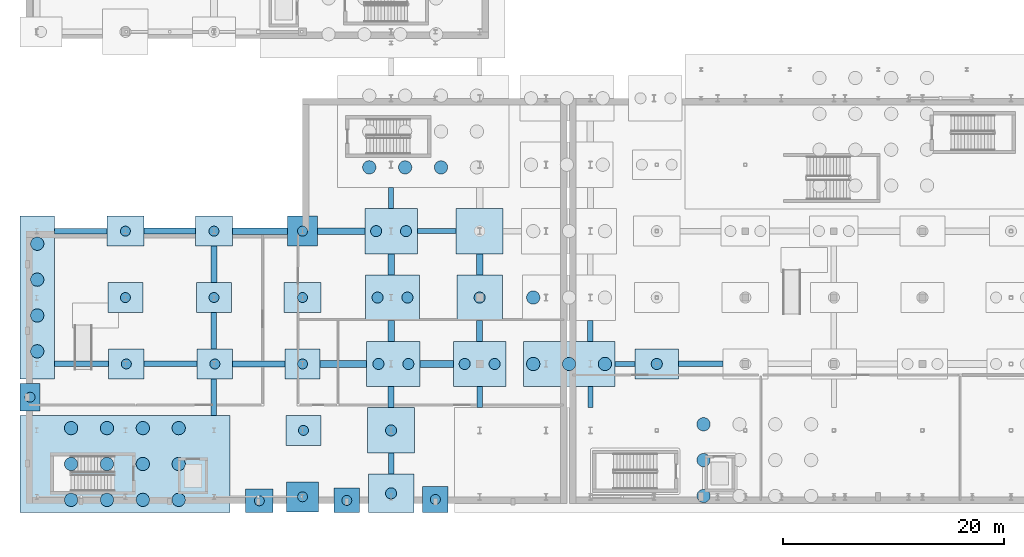
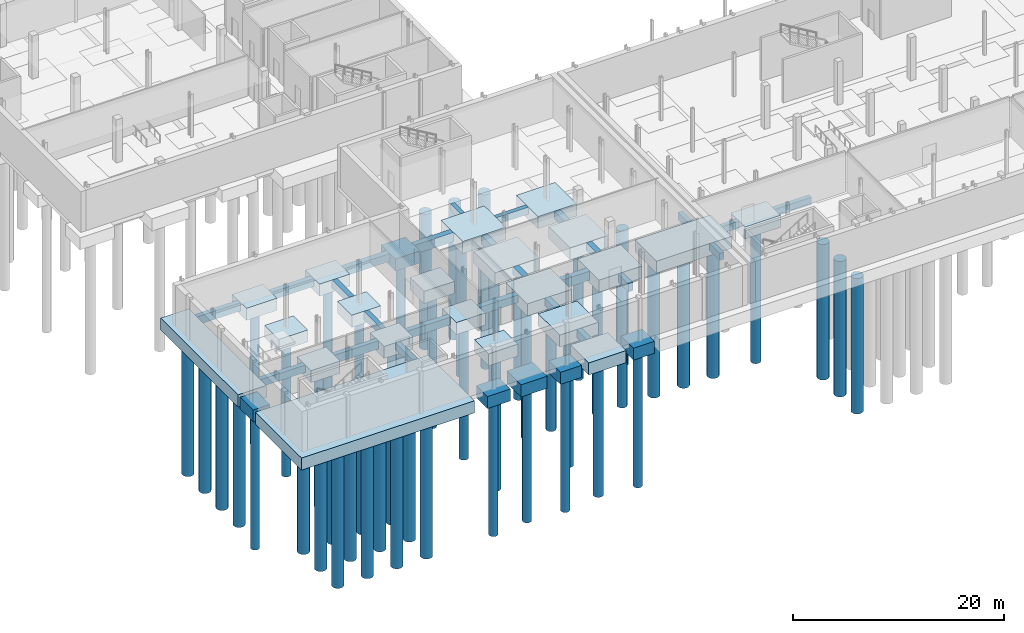
# One storey, part 1 of 47: 53 piles, 52 footings.
"""IFC4 building model written with IfcOpenShell, lengths in metres."""

from ifc_helpers import new_model, si_unit, direction, frame, origin, origin_2d, place, context, subcontext, project, spatial, rectangle, circle, extrude, material, layer, layer_set, material_profile, profile_set, type_object, element, save


model = new_model("IFC4")

# Units and contexts
model_context = context("Model", 3, precision=1e-05, world=origin(), true_north=direction((0.0, 1.0)))
body_context = subcontext(model_context, "Body", "Model", "MODEL_VIEW")
ifc_project = project(units=[si_unit("LENGTHUNIT", "METRE"), si_unit("AREAUNIT", "SQUARE_METRE"), si_unit("VOLUMEUNIT", "CUBIC_METRE"), si_unit("PLANEANGLEUNIT", "RADIAN"), si_unit("MASSUNIT", "GRAM", prefix="KILO")], contexts=[model_context])

# Site, building, storey
site_placement = place(None, origin())
site = spatial("IfcSite", under=ifc_project, at=site_placement, CompositionType="ELEMENT")
building_placement = place(site_placement, origin())
building = spatial("IfcBuilding", under=site, at=building_placement, Name="Cymarion Research Institute", CompositionType="ELEMENT")
storey_placement = place(building_placement, frame((0.0, 0.0, -5.0)))
storey = spatial("IfcBuildingStorey", under=building, at=storey_placement, Name="B1", CompositionType="ELEMENT", Elevation=-5.0)

# Piles
ifc_material = material(Name="Concrete C35/45", Category="concrete")
ifc_material_profile_1 = material_profile(ifc_material, circle(Radius=0.449951171875, at=origin_2d()), Name="BORED PILE D900")
ifc_profile_set_1 = profile_set([ifc_material_profile_1], Name="Concrete C35/45")
pile_type_1 = type_object("IfcPileType", Name="BORED CONCRETE PILE P1 D900", PredefinedType="BORED", material=ifc_profile_set_1)
for number, where, z_axis, x_axis, name in (
    (1, (5.989990234375, 14.5, -1.300048828125), (0.0, 0.0, -1.0), (1.0, 0.0, 0.0), "Bored pile P1 #1"),
    (2, (14.60009765625, 23.5, -1.300048828125), (0.0, 0.0, -1.0), (1.0, 0.0, 0.0), "Bored pile P1 #41"),
    (3, (14.60009765625, 29.5, -1.300048828125), (0.0, 0.0, -1.0), (1.0, 0.0, 0.0), "Bored pile P1 #42"),
    (4, (14.68505859375, 17.5, -1.300048828125), (0.0, 0.0, -1.0), (1.0, 0.0, 0.0), "Bored pile P1 #50"),
    (5, (22.60009765625, 23.5, -1.300048828125), (0.0, 0.0, -1.0), (1.0, 0.0, 0.0), "Bored pile P1 #56"),
    (6, (22.60009765625, 29.5, -1.300048828125), (0.0, 0.0, -1.0), (1.0, 0.0, 0.0), "Bored pile P1 #57"),
    (7, (22.68505859375, 17.5, -1.300048828125), (0.0, 0.0, -1.0), (1.0, 0.0, 0.0), "Bored pile P1 #71"),
    (8, (26.699951171875, 5.139892578125, -1.300048828125), (0.0, 0.0, -1.0), (1.0, 0.0, 0.0), "Bored pile P1 #72"),
    (9, (30.60009765625, 5.5, -1.300048828125), (0.0, 0.0, -1.0), (1.0, 0.0, 0.0), "Bored pile P1 #73"),
    (10, (30.60009765625, 17.5, -1.300048828125), (0.0, 0.0, -1.0), (1.0, 0.0, 0.0), "Bored pile P1 #74"),
    (11, (30.60009765625, 23.5, -1.300048828125), (0.0, 0.0, -1.0), (1.0, 0.0, 0.0), "Bored pile P1 #75"),
    (12, (30.60009765625, 29.5, -1.300048828125), (0.0, 0.0, -1.0), (1.0, 0.0, 0.0), "Bored pile P1 #76"),
    (13, (30.68505859375, 11.5, -1.300048828125), (0.0, 0.0, -1.0), (1.0, 0.0, 0.0), "Bored pile P1 #84"),
    (14, (34.60009765625, 5.179931640625, -1.300048828125), (0.0, 0.0, -1.0), (1.0, 0.0, 0.0), "Bored pile P1 #90"),
    (15, (42.60009765625, 5.260009765625, -1.300048828125), (0.0, 0.0, -1.0), (1.0, 0.0, 0.0), "Bored pile P1 #151"),
):
    element("IfcPile", number, at=place(storey_placement, frame(where, z_axis=z_axis, x_axis=x_axis)), inside=storey, type_object=pile_type_1, Name=name, PredefinedType="BORED", context=body_context, shape_type="SweptSolid", body=[
        extrude(circle(Radius=0.449951171875, at=origin_2d()), origin(), (0.0, 0.0, 1.0), 15.699951171875),
    ])
ifc_material_profile_2 = material_profile(ifc_material, circle(Radius=0.5, at=origin_2d()), Name="BORED PILE D1000")
ifc_profile_set_2 = profile_set([ifc_material_profile_2], Name="Concrete C35/45")
pile_type_2 = type_object("IfcPileType", Name="BORED CONCRETE PILE P2 D1000", PredefinedType="BORED", material=ifc_profile_set_2)
for number, where, z_axis, x_axis, name in (
    (16, (38.60009765625, 5.81494140625, -1.300048828125), (0.0, 0.0, -1.0), (1.0, 0.0, 0.0), "Bored pile P2 #116"),
    (17, (38.60009765625, 11.5, -1.300048828125), (0.0, 0.0, -1.0), (1.0, 0.0, 0.0), "Bored pile P2 #117"),
    (18, (37.25, 29.5, -1.300048828125), (0.0, 0.0, -1.0), (1.0, 0.0, 0.0), "Bored pile P2 #118"),
    (19, (39.949951171875, 29.5, -1.300048828125), (0.0, 0.0, -1.0), (1.0, 0.0, 0.0), "Bored pile P2 #119"),
    (20, (37.3798828125, 23.5, -1.300048828125), (0.0, 0.0, -1.0), (1.0, 0.0, 0.0), "Bored pile P2 #123"),
    (21, (40.080078125, 23.5, -1.300048828125), (0.0, 0.0, -1.0), (1.0, 0.0, 0.0), "Bored pile P2 #124"),
    (22, (37.4599609375, 17.5, -1.300048828125), (0.0, 0.0, -1.0), (1.0, 0.0, 0.0), "Bored pile P2 #125"),
    (23, (40.159912109375, 17.5, -1.300048828125), (0.0, 0.0, -1.0), (1.0, 0.0, 0.0), "Bored pile P2 #126"),
    (24, (45.25, 17.5, -1.300048828125), (0.0, 0.0, -1.0), (1.0, 0.0, 0.0), "Bored pile P2 #152"),
    (25, (47.949951171875, 17.5, -1.300048828125), (0.0, 0.0, -1.0), (1.0, 0.0, 0.0), "Bored pile P2 #153"),
    (26, (46.60009765625, 23.5, -1.300048828125), (0.0, 0.0, -1.0), (1.0, 0.0, 0.0), "Bored pile P2 #154"),
    (27, (62.60009765625, 17.5, -1.300048828125), (0.0, 0.0, -1.0), (1.0, 0.0, 0.0), "Bored pile P2 #179"),
):
    element("IfcPile", number, at=place(storey_placement, frame(where, z_axis=z_axis, x_axis=x_axis)), inside=storey, type_object=pile_type_2, Name=name, PredefinedType="BORED", context=body_context, shape_type="SweptSolid", body=[
        extrude(circle(Radius=0.5, at=origin_2d()), origin(), (0.0, 0.0, 1.0), 15.699951171875),
    ])
ifc_material_profile_3 = material_profile(ifc_material, circle(Radius=0.60009765625, at=origin_2d()), Name="BORED PILE D1200")
ifc_profile_set_3 = profile_set([ifc_material_profile_3], Name="Concrete C35/45")
pile_type_3 = type_object("IfcPileType", Name="BORED CONCRETE PILE P3 D1200", PredefinedType="BORED", material=ifc_profile_set_3)
for number, where, z_axis, x_axis, name in (
    (28, (6.635009765625, 18.639892578125, -1.300048828125), (0.0, 0.0, -1.0), (1.0, 0.0, 0.0), "Bored pile P3 #2"),
    (29, (6.635009765625, 21.8798828125, -1.300048828125), (0.0, 0.0, -1.0), (1.0, 0.0, 0.0), "Bored pile P3 #3"),
    (30, (6.635009765625, 25.1201171875, -1.300048828125), (0.0, 0.0, -1.0), (1.0, 0.0, 0.0), "Bored pile P3 #4"),
    (31, (6.635009765625, 28.360107421875, -1.300048828125), (0.0, 0.0, -1.0), (1.0, 0.0, 0.0), "Bored pile P3 #5"),
    (32, (9.695068359375, 5.22509765625, -1.300048828125), (0.0, 0.0, -1.0), (1.0, 0.0, 0.0), "Bored pile P3 #29"),
    (33, (9.695068359375, 8.465087890625, -1.300048828125), (0.0, 0.0, -1.0), (1.0, 0.0, 0.0), "Bored pile P3 #30"),
    (34, (9.695068359375, 11.705078125, -1.300048828125), (0.0, 0.0, -1.0), (1.0, 0.0, 0.0), "Bored pile P3 #31"),
    (35, (12.93505859375, 5.22509765625, -1.300048828125), (0.0, 0.0, -1.0), (1.0, 0.0, 0.0), "Bored pile P3 #32"),
    (36, (12.93505859375, 8.465087890625, -1.300048828125), (0.0, 0.0, -1.0), (1.0, 0.0, 0.0), "Bored pile P3 #33"),
    (37, (12.93505859375, 11.705078125, -1.300048828125), (0.0, 0.0, -1.0), (1.0, 0.0, 0.0), "Bored pile P3 #34"),
    (38, (16.175048828125, 5.22509765625, -1.300048828125), (0.0, 0.0, -1.0), (1.0, 0.0, 0.0), "Bored pile P3 #35"),
    (39, (16.175048828125, 8.465087890625, -1.300048828125), (0.0, 0.0, -1.0), (1.0, 0.0, 0.0), "Bored pile P3 #36"),
    (40, (16.175048828125, 11.705078125, -1.300048828125), (0.0, 0.0, -1.0), (1.0, 0.0, 0.0), "Bored pile P3 #37"),
    (41, (19.4150390625, 5.22509765625, -1.300048828125), (0.0, 0.0, -1.0), (1.0, 0.0, 0.0), "Bored pile P3 #38"),
    (42, (19.4150390625, 8.465087890625, -1.300048828125), (0.0, 0.0, -1.0), (1.0, 0.0, 0.0), "Bored pile P3 #39"),
    (43, (19.4150390625, 11.705078125, -1.300048828125), (0.0, 0.0, -1.0), (1.0, 0.0, 0.0), "Bored pile P3 #40"),
    (44, (36.6298828125, 35.260009765625, -1.300048828125), (0.0, 0.0, -1.0), (1.0, 0.0, 0.0), "Bored pile P3 #127"),
    (45, (39.8701171875, 35.260009765625, -1.300048828125), (0.0, 0.0, -1.0), (1.0, 0.0, 0.0), "Bored pile P3 #130"),
    (46, (43.110107421875, 35.260009765625, -1.300048828125), (0.0, 0.0, -1.0), (1.0, 0.0, 0.0), "Bored pile P3 #133"),
    (47, (51.43994140625, 17.5, -1.300048828125), (0.0, 0.0, -1.0), (1.0, 0.0, 0.0), "Bored pile P3 #168"),
    (48, (54.679931640625, 17.5, -1.300048828125), (0.0, 0.0, -1.0), (1.0, 0.0, 0.0), "Bored pile P3 #169"),
    (49, (57.919921875, 17.5, -1.300048828125), (0.0, 0.0, -1.0), (1.0, 0.0, 0.0), "Bored pile P3 #170"),
    (50, (51.43994140625, 23.5, -1.300048828125), (0.0, 0.0, -1.0), (1.0, 0.0, 0.0), "Bored pile P3 #171"),
    (51, (66.824951171875, 5.574951171875, -1.300048828125), (0.0, 0.0, -1.0), (1.0, 0.0, 0.0), "Bored pile P3 #188"),
    (52, (66.824951171875, 8.81494140625, -1.300048828125), (0.0, 0.0, -1.0), (1.0, 0.0, 0.0), "Bored pile P3 #189"),
    (53, (66.824951171875, 12.054931640625, -1.300048828125), (0.0, 0.0, -1.0), (1.0, 0.0, 0.0), "Bored pile P3 #190"),
):
    element("IfcPile", number, at=place(storey_placement, frame(where, z_axis=z_axis, x_axis=x_axis)), inside=storey, type_object=pile_type_3, Name=name, PredefinedType="BORED", context=body_context, shape_type="SweptSolid", body=[
        extrude(circle(Radius=0.60009765625, at=origin_2d()), origin(), (0.0, 0.0, 1.0), 15.699951171875),
    ])

# Footings
footing_type_1 = type_object("IfcFootingType", Name="REINFORCED CONCRETE GROUND BEAM GB1 450X800", PredefinedType="FOOTING_BEAM", material=ifc_material)
footing_1_placement = place(storey_placement, frame((59.72998046875, 17.5, -0.7998046875), z_axis=(0.0, 0.0, 1.0), x_axis=(1.0, 0.0, 0.0)))
element("IfcFooting", 54, at=footing_1_placement, inside=storey, type_object=footing_type_1, Name="Seismic tie ground beam GB1 #11", PredefinedType="FOOTING_BEAM", context=body_context, shape_type="SweptSolid", body=[
    extrude(rectangle(XDim=1.840087890625, YDim=0.449951171875, at=origin_2d()), origin(), (0.0, 0.0, 1.0), 0.800048828125),
])
footing_2_placement = place(storey_placement, frame((42.719970703125, 29.5, -0.7998046875), z_axis=(0.0, 0.0, 1.0), x_axis=(1.0, 0.0, 0.0)))
element("IfcFooting", 55, at=footing_2_placement, inside=storey, type_object=footing_type_1, Name="Seismic tie ground beam GB1 #28", PredefinedType="FOOTING_BEAM", context=body_context, shape_type="SweptSolid", body=[
    extrude(rectangle(XDim=3.5, YDim=0.449951171875, at=origin_2d()), origin(), (0.0, 0.0, 1.0), 0.800048828125),
])
for number, where, z_axis, x_axis, name in (
    (56, (38.60009765625, 32.5, -0.7998046875), (0.0, 0.0, 1.0), (0.0, 1.0, 0.0), "Seismic tie ground beam GB1 #82"),
    (57, (56.60009765625, 14.5, -0.7998046875), (0.0, 0.0, 1.0), (0.0, 1.0, 0.0), "Seismic tie ground beam GB1 #98"),
):
    element("IfcFooting", number, at=place(storey_placement, frame(where, z_axis=z_axis, x_axis=x_axis)), inside=storey, type_object=footing_type_1, Name=name, PredefinedType="FOOTING_BEAM", context=body_context, shape_type="SweptSolid", body=[
        extrude(rectangle(XDim=1.89990234375, YDim=0.449951171875, at=origin_2d()), origin(), (0.0, 0.0, 1.0), 0.800048828125),
    ])
footing_type_2 = type_object("IfcFootingType", Name="REINFORCED CONCRETE GROUND BEAM GB2 500X850", PredefinedType="FOOTING_BEAM", material=ifc_material)
footing_3_placement = place(storey_placement, frame((10.639892578125, 17.5, -0.85009765625), z_axis=(0.0, 0.0, 1.0), x_axis=(1.0, 0.0, 0.0)))
element("IfcFooting", 58, at=footing_3_placement, inside=storey, type_object=footing_type_2, Name="Seismic tie ground beam GB2 #6", PredefinedType="FOOTING_BEAM", context=body_context, shape_type="SweptSolid", body=[
    extrude(rectangle(XDim=4.89990234375, YDim=0.5, at=origin_2d()), origin(), (0.0, 0.0, 1.0), 0.85009765625),
])
footing_4_placement = place(storey_placement, frame((66.56005859375, 17.5, -0.85009765625), z_axis=(0.0, 0.0, 1.0), x_axis=(1.0, 0.0, 0.0)))
element("IfcFooting", 59, at=footing_4_placement, inside=storey, type_object=footing_type_2, Name="Seismic tie ground beam GB2 #12", PredefinedType="FOOTING_BEAM", context=body_context, shape_type="SweptSolid", body=[
    extrude(rectangle(XDim=4.02001953125, YDim=0.5, at=origin_2d()), origin(), (0.0, 0.0, 1.0), 0.85009765625),
])
footing_5_placement = place(storey_placement, frame((22.60009765625, 14.5, -0.85009765625), z_axis=(0.0, 0.0, 1.0), x_axis=(0.0, 1.0, 0.0)))
element("IfcFooting", 60, at=footing_5_placement, inside=storey, type_object=footing_type_2, Name="Seismic tie ground beam GB2 #66", PredefinedType="FOOTING_BEAM", context=body_context, shape_type="SweptSolid", body=[
    extrude(rectangle(XDim=3.300048828125, YDim=0.5, at=origin_2d()), origin(), (0.0, 0.0, 1.0), 0.85009765625),
])
footing_6_placement = place(storey_placement, frame((56.60009765625, 20.5, -0.85009765625), z_axis=(0.0, 0.0, 1.0), x_axis=(0.0, 1.0, 0.0)))
element("IfcFooting", 61, at=footing_6_placement, inside=storey, type_object=footing_type_2, Name="Seismic tie ground beam GB2 #99", PredefinedType="FOOTING_BEAM", context=body_context, shape_type="SweptSolid", body=[
    extrude(rectangle(XDim=1.89990234375, YDim=0.5, at=origin_2d()), origin(), (0.0, 0.0, 1.0), 0.85009765625),
])
footing_type_3 = type_object("IfcFootingType", Name="REINFORCED CONCRETE GROUND BEAM GB3 500X950", PredefinedType="FOOTING_BEAM", material=ifc_material)
footing_7_placement = place(storey_placement, frame((18.68505859375, 17.5, -0.9501953125), z_axis=(0.0, 0.0, 1.0), x_axis=(1.0, 0.0, 0.0)))
element("IfcFooting", 62, at=footing_7_placement, inside=storey, type_object=footing_type_3, Name="Seismic tie ground beam GB3 #7", PredefinedType="FOOTING_BEAM", context=body_context, shape_type="SweptSolid", body=[
    extrude(rectangle(XDim=4.81005859375, YDim=0.5, at=origin_2d()), origin(), (0.0, 0.0, 1.0), 0.949951171875),
])
footing_8_placement = place(storey_placement, frame((10.56005859375, 29.5, -0.9501953125), z_axis=(0.0, 0.0, 1.0), x_axis=(1.0, 0.0, 0.0)))
element("IfcFooting", 63, at=footing_8_placement, inside=storey, type_object=footing_type_3, Name="Seismic tie ground beam GB3 #24", PredefinedType="FOOTING_BEAM", context=body_context, shape_type="SweptSolid", body=[
    extrude(rectangle(XDim=4.739990234375, YDim=0.5, at=origin_2d()), origin(), (0.0, 0.0, 1.0), 0.949951171875),
])
footing_9_placement = place(storey_placement, frame((22.60009765625, 20.5, -0.9501953125), z_axis=(0.0, 0.0, 1.0), x_axis=(0.0, 1.0, 0.0)))
element("IfcFooting", 64, at=footing_9_placement, inside=storey, type_object=footing_type_3, Name="Seismic tie ground beam GB3 #67", PredefinedType="FOOTING_BEAM", context=body_context, shape_type="SweptSolid", body=[
    extrude(rectangle(XDim=3.300048828125, YDim=0.5, at=origin_2d()), origin(), (0.0, 0.0, 1.0), 0.949951171875),
])
for number, where, z_axis, x_axis, name in (
    (65, (38.60009765625, 8.5, -0.9501953125), (0.0, 0.0, 1.0), (0.0, 1.0, 0.0), "Seismic tie ground beam GB3 #78"),
    (66, (46.60009765625, 14.5, -0.9501953125), (0.0, 0.0, 1.0), (0.0, 1.0, 0.0), "Seismic tie ground beam GB3 #89"),
):
    element("IfcFooting", number, at=place(storey_placement, frame(where, z_axis=z_axis, x_axis=x_axis)), inside=storey, type_object=footing_type_3, Name=name, PredefinedType="FOOTING_BEAM", context=body_context, shape_type="SweptSolid", body=[
        extrude(rectangle(XDim=1.89990234375, YDim=0.5, at=origin_2d()), origin(), (0.0, 0.0, 1.0), 0.949951171875),
    ])
footing_type_4 = type_object("IfcFootingType", Name="REINFORCED CONCRETE GROUND BEAM GB4 550X900", PredefinedType="FOOTING_BEAM", material=ifc_material)
footing_10_placement = place(storey_placement, frame((26.64501953125, 17.5, -0.89990234375), z_axis=(0.0, 0.0, 1.0), x_axis=(1.0, 0.0, 0.0)))
element("IfcFooting", 67, at=footing_10_placement, inside=storey, type_object=footing_type_4, Name="Seismic tie ground beam GB4 #8", PredefinedType="FOOTING_BEAM", context=body_context, shape_type="SweptSolid", body=[
    extrude(rectangle(XDim=4.72998046875, YDim=0.550048828125, at=origin_2d()), origin(), (0.0, 0.0, 1.0), 0.89990234375),
])
footing_11_placement = place(storey_placement, frame((18.60009765625, 29.5, -0.89990234375), z_axis=(0.0, 0.0, 1.0), x_axis=(1.0, 0.0, 0.0)))
element("IfcFooting", 68, at=footing_11_placement, inside=storey, type_object=footing_type_4, Name="Seismic tie ground beam GB4 #25", PredefinedType="FOOTING_BEAM", context=body_context, shape_type="SweptSolid", body=[
    extrude(rectangle(XDim=4.659912109375, YDim=0.550048828125, at=origin_2d()), origin(), (0.0, 0.0, 1.0), 0.89990234375),
])
footing_12_placement = place(storey_placement, frame((22.60009765625, 26.5, -0.89990234375), z_axis=(0.0, 0.0, 1.0), x_axis=(0.0, 1.0, 0.0)))
element("IfcFooting", 69, at=footing_12_placement, inside=storey, type_object=footing_type_4, Name="Seismic tie ground beam GB4 #68", PredefinedType="FOOTING_BEAM", context=body_context, shape_type="SweptSolid", body=[
    extrude(rectangle(XDim=3.300048828125, YDim=0.550048828125, at=origin_2d()), origin(), (0.0, 0.0, 1.0), 0.89990234375),
])
for number, where, z_axis, x_axis, name in (
    (70, (38.60009765625, 14.5, -0.89990234375), (0.0, 0.0, 1.0), (0.0, 1.0, 0.0), "Seismic tie ground beam GB4 #79"),
    (71, (46.60009765625, 20.5, -0.89990234375), (0.0, 0.0, 1.0), (0.0, 1.0, 0.0), "Seismic tie ground beam GB4 #90"),
):
    element("IfcFooting", number, at=place(storey_placement, frame(where, z_axis=z_axis, x_axis=x_axis)), inside=storey, type_object=footing_type_4, Name=name, PredefinedType="FOOTING_BEAM", context=body_context, shape_type="SweptSolid", body=[
        extrude(rectangle(XDim=1.89990234375, YDim=0.550048828125, at=origin_2d()), origin(), (0.0, 0.0, 1.0), 0.89990234375),
    ])
footing_type_5 = type_object("IfcFootingType", Name="REINFORCED CONCRETE GROUND BEAM GB5 600X900", PredefinedType="FOOTING_BEAM", material=ifc_material)
footing_13_placement = place(storey_placement, frame((34.2900390625, 17.5, -0.89990234375), z_axis=(0.0, 0.0, 1.0), x_axis=(1.0, 0.0, 0.0)))
element("IfcFooting", 72, at=footing_13_placement, inside=storey, type_object=footing_type_5, Name="Seismic tie ground beam GB5 #9", PredefinedType="FOOTING_BEAM", context=body_context, shape_type="SweptSolid", body=[
    extrude(rectangle(XDim=4.199951171875, YDim=0.60009765625, at=origin_2d()), origin(), (0.0, 0.0, 1.0), 0.89990234375),
])
footing_14_placement = place(storey_placement, frame((26.760009765625, 29.5, -0.89990234375), z_axis=(0.0, 0.0, 1.0), x_axis=(1.0, 0.0, 0.0)))
element("IfcFooting", 73, at=footing_14_placement, inside=storey, type_object=footing_type_5, Name="Seismic tie ground beam GB5 #26", PredefinedType="FOOTING_BEAM", context=body_context, shape_type="SweptSolid", body=[
    extrude(rectangle(XDim=4.97998046875, YDim=0.60009765625, at=origin_2d()), origin(), (0.0, 0.0, 1.0), 0.89990234375),
])
for number, where, z_axis, x_axis, name in (
    (74, (38.60009765625, 20.5, -0.89990234375), (0.0, 0.0, 1.0), (0.0, 1.0, 0.0), "Seismic tie ground beam GB5 #80"),
    (75, (46.60009765625, 26.5, -0.89990234375), (0.0, 0.0, 1.0), (0.0, 1.0, 0.0), "Seismic tie ground beam GB5 #91"),
):
    element("IfcFooting", number, at=place(storey_placement, frame(where, z_axis=z_axis, x_axis=x_axis)), inside=storey, type_object=footing_type_5, Name=name, PredefinedType="FOOTING_BEAM", context=body_context, shape_type="SweptSolid", body=[
        extrude(rectangle(XDim=1.89990234375, YDim=0.60009765625, at=origin_2d()), origin(), (0.0, 0.0, 1.0), 0.89990234375),
    ])
footing_type_6 = type_object("IfcFootingType", Name="REINFORCED CONCRETE GROUND BEAM GB6 600X1050", PredefinedType="FOOTING_BEAM", material=ifc_material)
footing_15_placement = place(storey_placement, frame((42.72998046875, 17.5, -1.0498046875), z_axis=(0.0, 0.0, 1.0), x_axis=(1.0, 0.0, 0.0)))
element("IfcFooting", 76, at=footing_15_placement, inside=storey, type_object=footing_type_6, Name="Seismic tie ground beam GB6 #10", PredefinedType="FOOTING_BEAM", context=body_context, shape_type="SweptSolid", body=[
    extrude(rectangle(XDim=3.0, YDim=0.60009765625, at=origin_2d()), origin(), (0.0, 0.0, 1.0), 1.050048828125),
])
footing_16_placement = place(storey_placement, frame((34.090087890625, 29.5, -1.0498046875), z_axis=(0.0, 0.0, 1.0), x_axis=(1.0, 0.0, 0.0)))
element("IfcFooting", 77, at=footing_16_placement, inside=storey, type_object=footing_type_6, Name="Seismic tie ground beam GB6 #27", PredefinedType="FOOTING_BEAM", context=body_context, shape_type="SweptSolid", body=[
    extrude(rectangle(XDim=4.280029296875, YDim=0.60009765625, at=origin_2d()), origin(), (0.0, 0.0, 1.0), 1.050048828125),
])
footing_17_placement = place(storey_placement, frame((38.60009765625, 26.5, -1.0498046875), z_axis=(0.0, 0.0, 1.0), x_axis=(0.0, 1.0, 0.0)))
element("IfcFooting", 78, at=footing_17_placement, inside=storey, type_object=footing_type_6, Name="Seismic tie ground beam GB6 #81", PredefinedType="FOOTING_BEAM", context=body_context, shape_type="SweptSolid", body=[
    extrude(rectangle(XDim=1.89990234375, YDim=0.60009765625, at=origin_2d()), origin(), (0.0, 0.0, 1.0), 1.050048828125),
])
ifc_layer_1 = layer(ifc_material, 1.39990234375)
ifc_layer_set_1 = layer_set([ifc_layer_1], Name="Concrete C35/45")
footing_type_7 = type_object("IfcFootingType", Name="REINFORCED CONCRETE PILE CAP PC01 1820X2460X1400", PredefinedType="PILE_CAP", material=ifc_layer_set_1)
footing_18_placement = place(storey_placement, frame((5.989990234375, 14.5, -1.39990234375), z_axis=(0.0, 0.0, 1.0), x_axis=(1.0, 0.0, 0.0)))
element("IfcFooting", 79, at=footing_18_placement, inside=storey, type_object=footing_type_7, Name="Pile cap PC01 #1", PredefinedType="PILE_CAP", context=body_context, shape_type="SweptSolid", body=[
    extrude(rectangle(XDim=1.820068359375, YDim=2.4599609375, at=origin_2d()), origin(), (0.0, 0.0, 1.0), 1.39990234375),
])
ifc_layer_2 = layer(ifc_material, 1.39990234375)
ifc_layer_set_2 = layer_set([ifc_layer_2], Name="Concrete C35/45")
footing_type_8 = type_object("IfcFootingType", Name="REINFORCED CONCRETE PILE CAP PC02 3110X14700X1400", PredefinedType="PILE_CAP", material=ifc_layer_set_2)
footing_19_placement = place(storey_placement, frame((6.635009765625, 23.5, -1.39990234375), z_axis=(0.0, 0.0, 1.0), x_axis=(1.0, 0.0, 0.0)))
element("IfcFooting", 80, at=footing_19_placement, inside=storey, type_object=footing_type_8, Name="Pile cap PC02 #2", PredefinedType="PILE_CAP", context=body_context, shape_type="SweptSolid", body=[
    extrude(rectangle(XDim=3.110107421875, YDim=14.699951171875, at=origin_2d()), origin(), (0.0, 0.0, 1.0), 1.39990234375),
])
ifc_layer_3 = layer(ifc_material, 1.39990234375)
ifc_layer_set_3 = layer_set([ifc_layer_3], Name="Concrete C35/45")
footing_type_9 = type_object("IfcFootingType", Name="REINFORCED CONCRETE PILE CAP PC03 3190X2700X1400", PredefinedType="PILE_CAP", material=ifc_layer_set_3)
for number, where, z_axis, x_axis, name in (
    (81, (14.68505859375, 17.5, -1.39990234375), (0.0, 0.0, 1.0), (1.0, 0.0, 0.0), "Pile cap PC03 #20"),
    (82, (22.68505859375, 17.5, -1.39990234375), (0.0, 0.0, 1.0), (1.0, 0.0, 0.0), "Pile cap PC03 #36"),
    (83, (30.68505859375, 11.5, -1.39990234375), (0.0, 0.0, 1.0), (1.0, 0.0, 0.0), "Pile cap PC03 #47"),
):
    element("IfcFooting", number, at=place(storey_placement, frame(where, z_axis=z_axis, x_axis=x_axis)), inside=storey, type_object=footing_type_9, Name=name, PredefinedType="PILE_CAP", context=body_context, shape_type="SweptSolid", body=[
        extrude(rectangle(XDim=3.18994140625, YDim=2.699951171875, at=origin_2d()), origin(), (0.0, 0.0, 1.0), 1.39990234375),
    ])
ifc_layer_4 = layer(ifc_material, 1.39990234375)
ifc_layer_set_4 = layer_set([ifc_layer_4], Name="Concrete C35/45")
footing_type_10 = type_object("IfcFootingType", Name="REINFORCED CONCRETE PILE CAP PC10 18950X8770X1400", PredefinedType="PILE_CAP", material=ifc_layer_set_4)
footing_20_placement = place(storey_placement, frame((14.554931640625, 8.465087890625, -1.39990234375), z_axis=(0.0, 0.0, 1.0), x_axis=(1.0, 0.0, 0.0)))
element("IfcFooting", 84, at=footing_20_placement, inside=storey, type_object=footing_type_10, Name="Pile cap PC10 #12", PredefinedType="PILE_CAP", context=body_context, shape_type="SweptSolid", body=[
    extrude(rectangle(XDim=18.949951171875, YDim=8.77001953125, at=origin_2d()), origin(), (0.0, 0.0, 1.0), 1.39990234375),
])
ifc_layer_5 = layer(ifc_material, 1.39990234375)
ifc_layer_set_5 = layer_set([ifc_layer_5], Name="Concrete C35/45")
footing_type_11 = type_object("IfcFootingType", Name="REINFORCED CONCRETE PILE CAP PC11 3180X2700X1400", PredefinedType="PILE_CAP", material=ifc_layer_set_5)
for number, where, z_axis, x_axis, name in (
    (85, (14.60009765625, 23.5, -1.39990234375), (0.0, 0.0, 1.0), (1.0, 0.0, 0.0), "Pile cap PC11 #13"),
    (86, (22.60009765625, 23.5, -1.39990234375), (0.0, 0.0, 1.0), (1.0, 0.0, 0.0), "Pile cap PC11 #24"),
    (87, (30.60009765625, 17.5, -1.39990234375), (0.0, 0.0, 1.0), (1.0, 0.0, 0.0), "Pile cap PC11 #39"),
):
    element("IfcFooting", number, at=place(storey_placement, frame(where, z_axis=z_axis, x_axis=x_axis)), inside=storey, type_object=footing_type_11, Name=name, PredefinedType="PILE_CAP", context=body_context, shape_type="SweptSolid", body=[
        extrude(rectangle(XDim=3.179931640625, YDim=2.699951171875, at=origin_2d()), origin(), (0.0, 0.0, 1.0), 1.39990234375),
    ])
ifc_layer_6 = layer(ifc_material, 1.39990234375)
ifc_layer_set_6 = layer_set([ifc_layer_6], Name="Concrete C35/45")
footing_type_12 = type_object("IfcFootingType", Name="REINFORCED CONCRETE PILE CAP PC12 3340X2700X1400", PredefinedType="PILE_CAP", material=ifc_layer_set_6)
for number, where, z_axis, x_axis, name in (
    (88, (14.60009765625, 29.5, -1.39990234375), (0.0, 0.0, 1.0), (1.0, 0.0, 0.0), "Pile cap PC12 #14"),
    (89, (22.60009765625, 29.5, -1.39990234375), (0.0, 0.0, 1.0), (1.0, 0.0, 0.0), "Pile cap PC12 #25"),
    (90, (30.60009765625, 23.5, -1.39990234375), (0.0, 0.0, 1.0), (1.0, 0.0, 0.0), "Pile cap PC12 #40"),
):
    element("IfcFooting", number, at=place(storey_placement, frame(where, z_axis=z_axis, x_axis=x_axis)), inside=storey, type_object=footing_type_12, Name=name, PredefinedType="PILE_CAP", context=body_context, shape_type="SweptSolid", body=[
        extrude(rectangle(XDim=3.340087890625, YDim=2.699951171875, at=origin_2d()), origin(), (0.0, 0.0, 1.0), 1.39990234375),
    ])
ifc_layer_7 = layer(ifc_material, 1.39990234375)
ifc_layer_set_7 = layer_set([ifc_layer_7], Name="Concrete C35/45")
footing_type_13 = type_object("IfcFootingType", Name="REINFORCED CONCRETE PILE CAP PC13 4100X4100X1400", PredefinedType="PILE_CAP", material=ifc_layer_set_7)
footing_21_placement = place(storey_placement, frame((46.60009765625, 23.5, -1.39990234375), z_axis=(0.0, 0.0, 1.0), x_axis=(1.0, 0.0, 0.0)))
element("IfcFooting", 91, at=footing_21_placement, inside=storey, type_object=footing_type_13, Name="Pile cap PC13 #68", PredefinedType="PILE_CAP", context=body_context, shape_type="SweptSolid", body=[
    extrude(rectangle(XDim=4.10009765625, YDim=4.10009765625, at=origin_2d()), origin(), (0.0, 0.0, 1.0), 1.39990234375),
])
ifc_layer_8 = layer(ifc_material, 1.39990234375)
ifc_layer_set_8 = layer_set([ifc_layer_8], Name="Concrete C35/45")
footing_type_14 = type_object("IfcFootingType", Name="REINFORCED CONCRETE PILE CAP PC14 4260X4100X1400", PredefinedType="PILE_CAP", material=ifc_layer_set_8)
for number, where, z_axis, x_axis, name in (
    (92, (38.60009765625, 11.5, -1.39990234375), (0.0, 0.0, 1.0), (1.0, 0.0, 0.0), "Pile cap PC14 #57"),
    (93, (46.60009765625, 29.5, -1.39990234375), (0.0, 0.0, 1.0), (1.0, 0.0, 0.0), "Pile cap PC14 #69"),
):
    element("IfcFooting", number, at=place(storey_placement, frame(where, z_axis=z_axis, x_axis=x_axis)), inside=storey, type_object=footing_type_14, Name=name, PredefinedType="PILE_CAP", context=body_context, shape_type="SweptSolid", body=[
        extrude(rectangle(XDim=4.260009765625, YDim=4.10009765625, at=origin_2d()), origin(), (0.0, 0.0, 1.0), 1.39990234375),
    ])
ifc_layer_9 = layer(ifc_material, 1.39990234375)
ifc_layer_set_9 = layer_set([ifc_layer_9], Name="Concrete C35/45")
footing_type_15 = type_object("IfcFootingType", Name="REINFORCED CONCRETE PILE CAP PC15 4740X4100X1400", PredefinedType="PILE_CAP", material=ifc_layer_set_9)
for number, where, z_axis, x_axis, name in (
    (94, (38.60009765625, 29.5, -1.39990234375), (0.0, 0.0, 1.0), (1.0, 0.0, 0.0), "Pile cap PC15 #58"),
    (95, (46.60009765625, 17.5, -1.39990234375), (0.0, 0.0, 1.0), (1.0, 0.0, 0.0), "Pile cap PC15 #67"),
):
    element("IfcFooting", number, at=place(storey_placement, frame(where, z_axis=z_axis, x_axis=x_axis)), inside=storey, type_object=footing_type_15, Name=name, PredefinedType="PILE_CAP", context=body_context, shape_type="SweptSolid", body=[
        extrude(rectangle(XDim=4.739990234375, YDim=4.10009765625, at=origin_2d()), origin(), (0.0, 0.0, 1.0), 1.39990234375),
    ])
ifc_layer_10 = layer(ifc_material, 1.39990234375)
ifc_layer_set_10 = layer_set([ifc_layer_10], Name="Concrete C35/45")
footing_type_16 = type_object("IfcFootingType", Name="REINFORCED CONCRETE PILE CAP PC16 3900X2700X1400", PredefinedType="PILE_CAP", material=ifc_layer_set_10)
footing_22_placement = place(storey_placement, frame((62.60009765625, 17.5, -1.39990234375), z_axis=(0.0, 0.0, 1.0), x_axis=(1.0, 0.0, 0.0)))
element("IfcFooting", 96, at=footing_22_placement, inside=storey, type_object=footing_type_16, Name="Pile cap PC16 #81", PredefinedType="PILE_CAP", context=body_context, shape_type="SweptSolid", body=[
    extrude(rectangle(XDim=3.89990234375, YDim=2.699951171875, at=origin_2d()), origin(), (0.0, 0.0, 1.0), 1.39990234375),
])
ifc_layer_11 = layer(ifc_material, 1.39990234375)
ifc_layer_set_11 = layer_set([ifc_layer_11], Name="Concrete C35/45")
footing_type_17 = type_object("IfcFootingType", Name="REINFORCED CONCRETE PILE CAP PC18 4840X4100X1400", PredefinedType="PILE_CAP", material=ifc_layer_set_11)
for number, where, z_axis, x_axis, name in (
    (97, (38.72998046875, 23.5, -1.39990234375), (0.0, 0.0, 1.0), (1.0, 0.0, 0.0), "Pile cap PC18 #62"),
    (98, (38.81005859375, 17.5, -1.39990234375), (0.0, 0.0, 1.0), (1.0, 0.0, 0.0), "Pile cap PC18 #63"),
):
    element("IfcFooting", number, at=place(storey_placement, frame(where, z_axis=z_axis, x_axis=x_axis)), inside=storey, type_object=footing_type_17, Name=name, PredefinedType="PILE_CAP", context=body_context, shape_type="SweptSolid", body=[
        extrude(rectangle(XDim=4.840087890625, YDim=4.10009765625, at=origin_2d()), origin(), (0.0, 0.0, 1.0), 1.39990234375),
    ])
ifc_layer_12 = layer(ifc_material, 1.39990234375)
ifc_layer_set_12 = layer_set([ifc_layer_12], Name="Concrete C35/45")
footing_type_18 = type_object("IfcFootingType", Name="REINFORCED CONCRETE PILE CAP PC22 2860X2700X1400", PredefinedType="PILE_CAP", material=ifc_layer_set_12)
footing_23_placement = place(storey_placement, frame((30.60009765625, 5.5, -1.39990234375), z_axis=(0.0, 0.0, 1.0), x_axis=(1.0, 0.0, 0.0)))
element("IfcFooting", 99, at=footing_23_placement, inside=storey, type_object=footing_type_18, Name="Pile cap PC22 #38", PredefinedType="PILE_CAP", context=body_context, shape_type="SweptSolid", body=[
    extrude(rectangle(XDim=2.860107421875, YDim=2.699951171875, at=origin_2d()), origin(), (0.0, 0.0, 1.0), 1.39990234375),
])
ifc_layer_13 = layer(ifc_material, 1.39990234375)
ifc_layer_set_13 = layer_set([ifc_layer_13], Name="Concrete C35/45")
footing_type_19 = type_object("IfcFootingType", Name="REINFORCED CONCRETE PILE CAP PC23 2500X2120X1400", PredefinedType="PILE_CAP", material=ifc_layer_set_13)
footing_24_placement = place(storey_placement, frame((26.699951171875, 5.139892578125, -1.39990234375), z_axis=(0.0, 0.0, 1.0), x_axis=(1.0, 0.0, 0.0)))
element("IfcFooting", 100, at=footing_24_placement, inside=storey, type_object=footing_type_19, Name="Pile cap PC23 #37", PredefinedType="PILE_CAP", context=body_context, shape_type="SweptSolid", body=[
    extrude(rectangle(XDim=2.5, YDim=2.1201171875, at=origin_2d()), origin(), (0.0, 0.0, 1.0), 1.39990234375),
])
ifc_layer_14 = layer(ifc_material, 1.39990234375)
ifc_layer_set_14 = layer_set([ifc_layer_14], Name="Concrete C35/45")
footing_type_20 = type_object("IfcFootingType", Name="REINFORCED CONCRETE PILE CAP PC24 2700X2700X1400", PredefinedType="PILE_CAP", material=ifc_layer_set_14)
footing_25_placement = place(storey_placement, frame((30.60009765625, 29.5, -1.39990234375), z_axis=(0.0, 0.0, 1.0), x_axis=(1.0, 0.0, 0.0)))
element("IfcFooting", 101, at=footing_25_placement, inside=storey, type_object=footing_type_20, Name="Pile cap PC24 #41", PredefinedType="PILE_CAP", context=body_context, shape_type="SweptSolid", body=[
    extrude(rectangle(XDim=2.699951171875, YDim=2.699951171875, at=origin_2d()), origin(), (0.0, 0.0, 1.0), 1.39990234375),
])
ifc_layer_15 = layer(ifc_material, 1.39990234375)
ifc_layer_set_15 = layer_set([ifc_layer_15], Name="Concrete C35/45")
footing_type_21 = type_object("IfcFootingType", Name="REINFORCED CONCRETE PILE CAP PC25 2300X2200X1400", PredefinedType="PILE_CAP", material=ifc_layer_set_15)
footing_26_placement = place(storey_placement, frame((34.60009765625, 5.179931640625, -1.39990234375), z_axis=(0.0, 0.0, 1.0), x_axis=(1.0, 0.0, 0.0)))
element("IfcFooting", 102, at=footing_26_placement, inside=storey, type_object=footing_type_21, Name="Pile cap PC25 #51", PredefinedType="PILE_CAP", context=body_context, shape_type="SweptSolid", body=[
    extrude(rectangle(XDim=2.300048828125, YDim=2.199951171875, at=origin_2d()), origin(), (0.0, 0.0, 1.0), 1.39990234375),
])
ifc_layer_16 = layer(ifc_material, 1.39990234375)
ifc_layer_set_16 = layer_set([ifc_layer_16], Name="Concrete C35/45")
footing_type_22 = type_object("IfcFootingType", Name="REINFORCED CONCRETE PILE CAP PC29 4100X3470X1400", PredefinedType="PILE_CAP", material=ifc_layer_set_16)
footing_27_placement = place(storey_placement, frame((38.60009765625, 5.81494140625, -1.39990234375), z_axis=(0.0, 0.0, 1.0), x_axis=(1.0, 0.0, 0.0)))
element("IfcFooting", 103, at=footing_27_placement, inside=storey, type_object=footing_type_22, Name="Pile cap PC29 #56", PredefinedType="PILE_CAP", context=body_context, shape_type="SweptSolid", body=[
    extrude(rectangle(XDim=4.10009765625, YDim=3.469970703125, at=origin_2d()), origin(), (0.0, 0.0, 1.0), 1.39990234375),
])
ifc_layer_17 = layer(ifc_material, 1.39990234375)
ifc_layer_set_17 = layer_set([ifc_layer_17], Name="Concrete C35/45")
footing_type_23 = type_object("IfcFootingType", Name="REINFORCED CONCRETE PILE CAP PC32 2300X2360X1400", PredefinedType="PILE_CAP", material=ifc_layer_set_17)
footing_28_placement = place(storey_placement, frame((42.60009765625, 5.260009765625, -1.39990234375), z_axis=(0.0, 0.0, 1.0), x_axis=(1.0, 0.0, 0.0)))
element("IfcFooting", 104, at=footing_28_placement, inside=storey, type_object=footing_type_23, Name="Pile cap PC32 #66", PredefinedType="PILE_CAP", context=body_context, shape_type="SweptSolid", body=[
    extrude(rectangle(XDim=2.300048828125, YDim=2.360107421875, at=origin_2d()), origin(), (0.0, 0.0, 1.0), 1.39990234375),
])
ifc_layer_18 = layer(ifc_material, 1.39990234375)
ifc_layer_set_18 = layer_set([ifc_layer_18], Name="Concrete C35/45")
footing_type_24 = type_object("IfcFootingType", Name="REINFORCED CONCRETE PILE CAP PC35 8260X4100X1400", PredefinedType="PILE_CAP", material=ifc_layer_set_18)
footing_29_placement = place(storey_placement, frame((54.679931640625, 17.5, -1.39990234375), z_axis=(0.0, 0.0, 1.0), x_axis=(1.0, 0.0, 0.0)))
element("IfcFooting", 105, at=footing_29_placement, inside=storey, type_object=footing_type_24, Name="Pile cap PC35 #77", PredefinedType="PILE_CAP", context=body_context, shape_type="SweptSolid", body=[
    extrude(rectangle(XDim=8.260009765625, YDim=4.10009765625, at=origin_2d()), origin(), (0.0, 0.0, 1.0), 1.39990234375),
])

save(model, "model.ifc")
